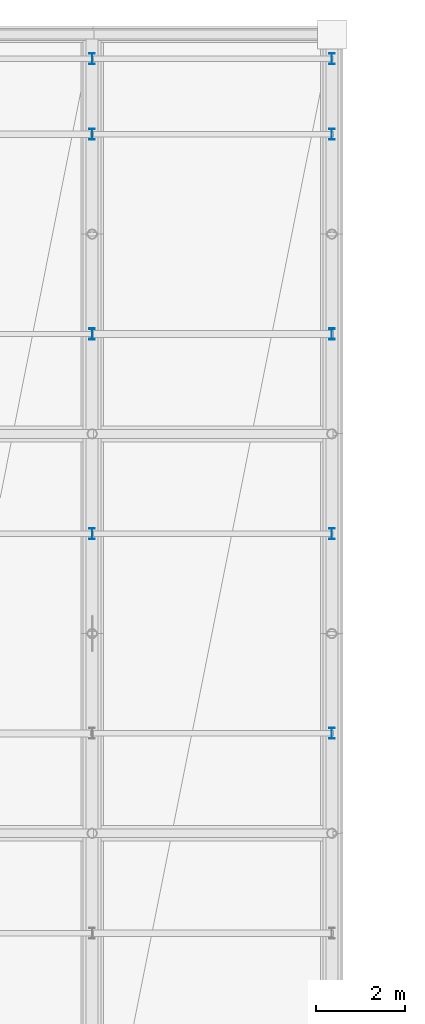
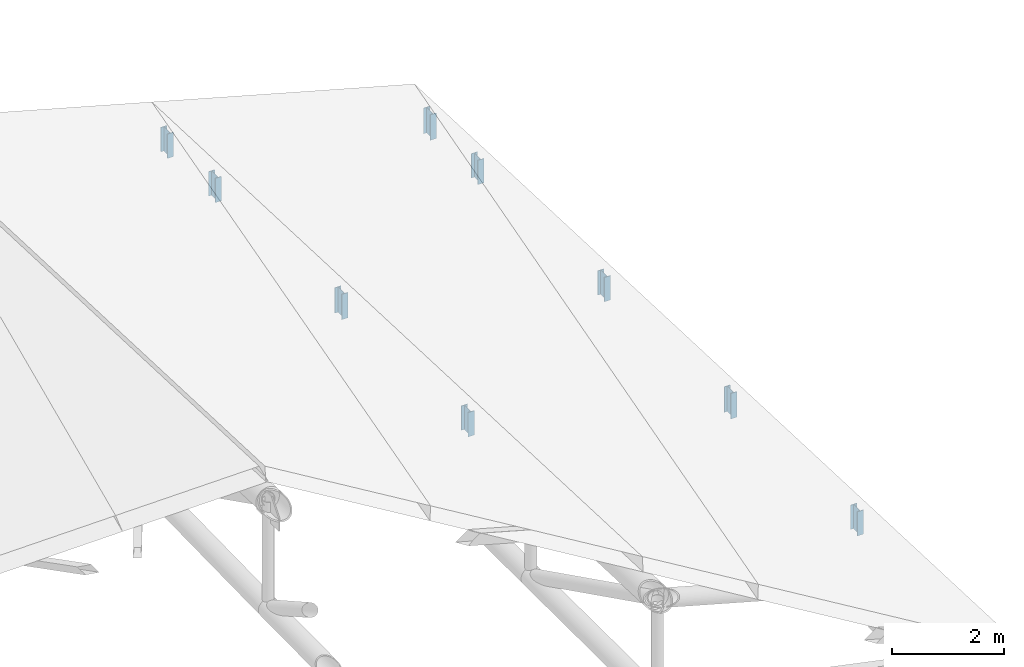
# One storey, part 94 of 109: 9 members.
"""IFC4 building model written with IfcOpenShell, lengths in metres."""

from ifc_helpers import new_model, si_unit, direction, frame, origin, origin_2d, place, context, subcontext, project, spatial, i_section, extrude, material, material_profile, profile_set, type_object, element, save


model = new_model("IFC4")

# Units and contexts
model_context = context("Model", 3, precision=1e-05, world=origin(), true_north=direction((0.0, 1.0)))
body_context = subcontext(model_context, "Body", "Model", "MODEL_VIEW")
ifc_project = project(units=[si_unit("LENGTHUNIT", "METRE"), si_unit("AREAUNIT", "SQUARE_METRE"), si_unit("VOLUMEUNIT", "CUBIC_METRE"), si_unit("PLANEANGLEUNIT", "RADIAN"), si_unit("MASSUNIT", "GRAM", prefix="KILO")], contexts=[model_context])

# Site, building, storey
site_placement = place(None, origin())
site = spatial("IfcSite", under=ifc_project, at=site_placement, CompositionType="ELEMENT")
building_placement = place(site_placement, origin())
building = spatial("IfcBuilding", under=site, at=building_placement, Name="Suirenkawa Promenade Aquatics Centre", CompositionType="ELEMENT")
storey_placement = place(building_placement, frame((0.0, 0.0, 22.800048828125)))
storey = spatial("IfcBuildingStorey", under=building, at=storey_placement, Name="ROOF", CompositionType="ELEMENT", Elevation=22.800048828125)

# Members
ifc_material = material(Name="Steel IS 2062 E350 (Grade 350)", Category="steel")
ifc_material_profile = material_profile(ifc_material, i_section(OverallWidth=0.125, OverallDepth=0.25, WebThickness=0.007080078125, FlangeThickness=0.012939453125, at=origin_2d()), Name="ISMB 250", Category="steel")
ifc_profile_set = profile_set([ifc_material_profile], Name="Steel IS 2062 E350 (Grade 350)")
member_type = type_object("IfcMemberType", Name="MT-WEB-CHS168", PredefinedType="BRACE", material=ifc_profile_set)
member_1_placement = place(storey_placement, frame((149.39990234375, 111.14990234375, -8.56201171875), z_axis=(0.0, 0.0, 1.0), x_axis=(1.0, 0.0, 0.0)))
element("IfcMember", 1, at=member_1_placement, inside=storey, type_object=member_type, Name="ROOF TRUSS Purlin cleat post TD-03 MB-2364", PredefinedType="BRACE", context=body_context, shape_type="SweptSolid", body=[
    extrude(i_section(OverallWidth=0.125, OverallDepth=0.25, WebThickness=0.007080078125, FlangeThickness=0.012939453125, at=origin_2d()), origin(), (0.0, 0.0, 1.0), 0.529052734375),
])
member_2_placement = place(storey_placement, frame((149.39990234375, 115.64990234375, -8.7451171875), z_axis=(0.0, 0.0, 1.0), x_axis=(1.0, 0.0, 0.0)))
element("IfcMember", 2, at=member_2_placement, inside=storey, type_object=member_type, Name="ROOF TRUSS Purlin cleat post TD-03 MB-2366", PredefinedType="BRACE", context=body_context, shape_type="SweptSolid", body=[
    extrude(i_section(OverallWidth=0.125, OverallDepth=0.25, WebThickness=0.007080078125, FlangeThickness=0.012939453125, at=origin_2d()), origin(), (0.0, 0.0, 1.0), 0.552978515625),
])
member_3_placement = place(storey_placement, frame((149.39990234375, 120.14990234375, -8.927978515625), z_axis=(0.0, 0.0, 1.0), x_axis=(1.0, 0.0, 0.0)))
element("IfcMember", 3, at=member_3_placement, inside=storey, type_object=member_type, Name="ROOF TRUSS Purlin cleat post TD-03 MB-2368", PredefinedType="BRACE", context=body_context, shape_type="SweptSolid", body=[
    extrude(i_section(OverallWidth=0.125, OverallDepth=0.25, WebThickness=0.007080078125, FlangeThickness=0.012939453125, at=origin_2d()), origin(), (0.0, 0.0, 1.0), 0.52685546875),
])
member_4_placement = place(storey_placement, frame((149.39990234375, 121.85009765625, -8.998046875), z_axis=(0.0, 0.0, 1.0), x_axis=(1.0, 0.0, 0.0)))
element("IfcMember", 4, at=member_4_placement, inside=storey, type_object=member_type, Name="ROOF TRUSS Purlin cleat post TD-03 MB-2370", PredefinedType="BRACE", context=body_context, shape_type="SweptSolid", body=[
    extrude(i_section(OverallWidth=0.125, OverallDepth=0.25, WebThickness=0.007080078125, FlangeThickness=0.012939453125, at=origin_2d()), origin(), (0.0, 0.0, 1.0), 0.529052734375),
])
member_5_placement = place(storey_placement, frame((154.800048828125, 106.64990234375, -9.8779296875), z_axis=(0.0, 0.0, 1.0), x_axis=(1.0, 0.0, 0.0)))
element("IfcMember", 5, at=member_5_placement, inside=storey, type_object=member_type, Name="ROOF TRUSS Purlin cleat post TD-03 MB-2398", PredefinedType="BRACE", context=body_context, shape_type="SweptSolid", body=[
    extrude(i_section(OverallWidth=0.125, OverallDepth=0.25, WebThickness=0.007080078125, FlangeThickness=0.012939453125, at=origin_2d()), origin(), (0.0, 0.0, 1.0), 0.52783203125),
])
member_6_placement = place(storey_placement, frame((154.800048828125, 111.14990234375, -10.06201171875), z_axis=(0.0, 0.0, 1.0), x_axis=(1.0, 0.0, 0.0)))
element("IfcMember", 6, at=member_6_placement, inside=storey, type_object=member_type, Name="ROOF TRUSS Purlin cleat post TD-03 MB-2400", PredefinedType="BRACE", context=body_context, shape_type="SweptSolid", body=[
    extrude(i_section(OverallWidth=0.125, OverallDepth=0.25, WebThickness=0.007080078125, FlangeThickness=0.012939453125, at=origin_2d()), origin(), (0.0, 0.0, 1.0), 0.553955078125),
])
member_7_placement = place(storey_placement, frame((154.800048828125, 115.64990234375, -10.2451171875), z_axis=(0.0, 0.0, 1.0), x_axis=(1.0, 0.0, 0.0)))
element("IfcMember", 7, at=member_7_placement, inside=storey, type_object=member_type, Name="ROOF TRUSS Purlin cleat post TD-03 MB-2402", PredefinedType="BRACE", context=body_context, shape_type="SweptSolid", body=[
    extrude(i_section(OverallWidth=0.125, OverallDepth=0.25, WebThickness=0.007080078125, FlangeThickness=0.012939453125, at=origin_2d()), origin(), (0.0, 0.0, 1.0), 0.528076171875),
])
member_8_placement = place(storey_placement, frame((154.800048828125, 120.14990234375, -10.427978515625), z_axis=(0.0, 0.0, 1.0), x_axis=(1.0, 0.0, 0.0)))
element("IfcMember", 8, at=member_8_placement, inside=storey, type_object=member_type, Name="ROOF TRUSS Purlin cleat post TD-03 MB-2404", PredefinedType="BRACE", context=body_context, shape_type="SweptSolid", body=[
    extrude(i_section(OverallWidth=0.125, OverallDepth=0.25, WebThickness=0.007080078125, FlangeThickness=0.012939453125, at=origin_2d()), origin(), (0.0, 0.0, 1.0), 0.52783203125),
])
member_9_placement = place(storey_placement, frame((154.800048828125, 121.85009765625, -10.498046875), z_axis=(0.0, 0.0, 1.0), x_axis=(1.0, 0.0, 0.0)))
element("IfcMember", 9, at=member_9_placement, inside=storey, type_object=member_type, Name="ROOF TRUSS Purlin cleat post TD-03 MB-2406", PredefinedType="BRACE", context=body_context, shape_type="SweptSolid", body=[
    extrude(i_section(OverallWidth=0.125, OverallDepth=0.25, WebThickness=0.007080078125, FlangeThickness=0.012939453125, at=origin_2d()), origin(), (0.0, 0.0, 1.0), 0.553955078125),
])

save(model, "model.ifc")
